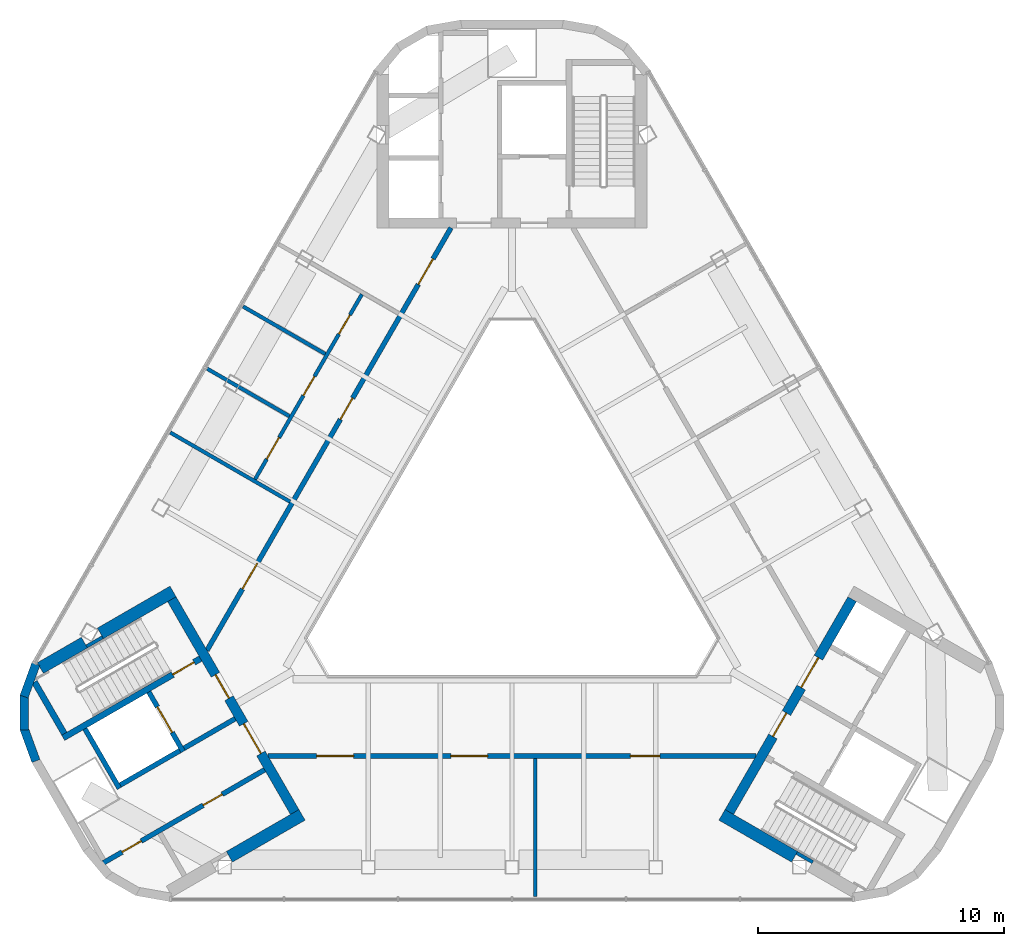
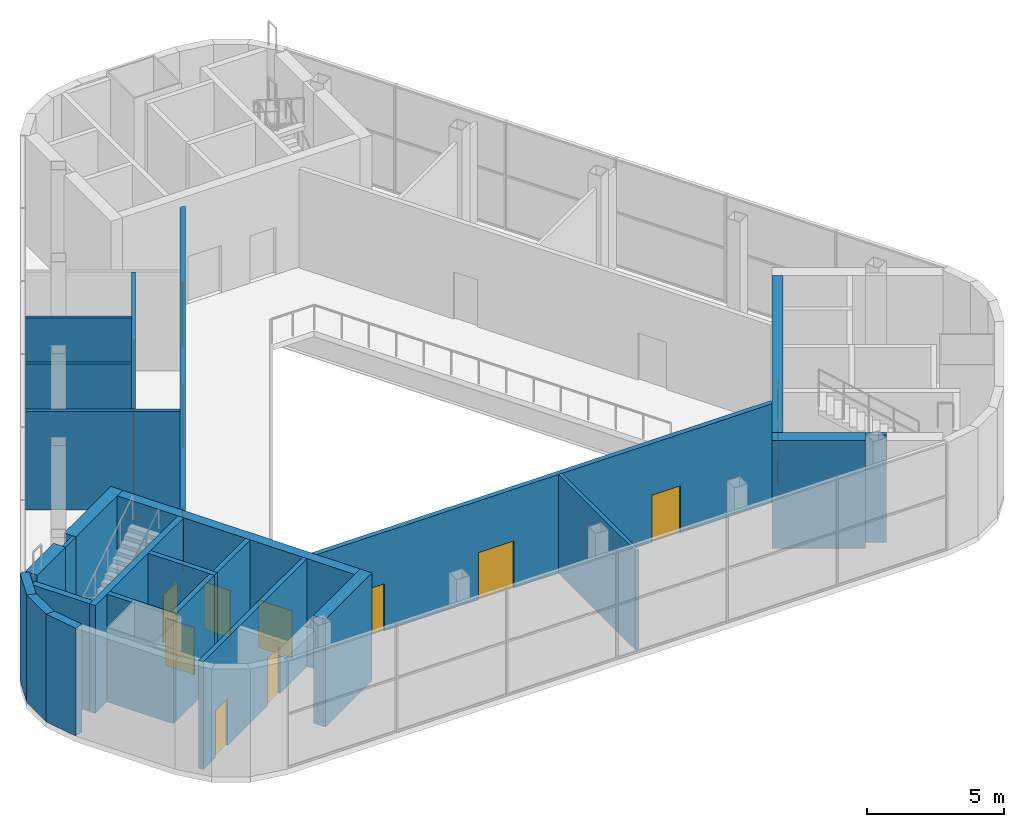
# One storey, part 6 of 11: 25 walls, 17 doors, 17 openings.
"""IFC4 building model written with IfcOpenShell, lengths in metres."""

from ifc_helpers import new_model, si_unit, direction, frame, frame_2d, origin, place, context, subcontext, project, spatial, rectangle, extrude, material, layer, layer_set, type_object, element, fill, save


model = new_model("IFC4")

# Units and contexts
model_context = context("Model", 3, precision=1e-05, world=origin(), true_north=direction((0.0, 1.0)))
body_context = subcontext(model_context, "Body", "Model", "MODEL_VIEW")
ifc_project = project(units=[si_unit("LENGTHUNIT", "METRE"), si_unit("AREAUNIT", "SQUARE_METRE"), si_unit("VOLUMEUNIT", "CUBIC_METRE"), si_unit("PLANEANGLEUNIT", "RADIAN"), si_unit("MASSUNIT", "GRAM", prefix="KILO")], contexts=[model_context])

# Site, building, storey
site_placement = place(None, origin())
site = spatial("IfcSite", under=ifc_project, at=site_placement, CompositionType="ELEMENT")
building_placement = place(site_placement, origin())
building = spatial("IfcBuilding", under=site, at=building_placement, Name="Apuvela Tower Hotel", CompositionType="ELEMENT")
storey_placement = place(building_placement, frame((0.0, 0.0, 338.300048828125)))
storey = spatial("IfcBuildingStorey", under=building, at=storey_placement, Name="L84", CompositionType="ELEMENT", Elevation=338.300048828125)

# Walls
ifc_material_1 = material(Name="Concrete C50/60", Category="concrete")
ifc_layer_1 = layer(ifc_material_1, 0.139892578125)
ifc_layer_set_1 = layer_set([ifc_layer_1], Name="COR-WALL-CORE-140")
wall_type_1 = type_object("IfcWallType", Name="COR-WALL-CORE-140", PredefinedType="SHEAR", material=ifc_layer_set_1)
wall_1_placement = place(storey_placement, frame((-16.66259765625, -3.765869140625, 0.0), z_axis=(0.0, 0.0, 1.0), x_axis=(-0.86603400694, -0.499985098601, 0.0)))
element("IfcWall", 1, at=wall_1_placement, inside=storey, type_object=wall_type_1, Name="Core wall SW", PredefinedType="SHEAR", context=body_context, shape_type="SweptSolid", body=[
    extrude(rectangle(XDim=0.7509765625, YDim=0.139892578125, at=frame_2d((0.37548828125, 0.0))), origin(), (0.0, 0.0, 1.0), 4.800048828125),
])
wall_2_placement = place(storey_placement, frame((11.592529296875, -12.54736328125, 0.0), z_axis=(0.0, 0.0, 1.0), x_axis=(0.866115239748, -0.499844367254, 0.0)))
element("IfcWall", 2, at=wall_2_placement, inside=storey, type_object=wall_type_1, Name="Core wall SE", PredefinedType="SHEAR", context=body_context, shape_type="SweptSolid", body=[
    extrude(rectangle(XDim=0.751220703125, YDim=0.139892578125, at=frame_2d((0.37548828125, 0.0))), origin(), (0.0, 0.0, 1.0), 4.800048828125),
])

# Wall, openings, doors
ifc_layer_2 = layer(ifc_material_1, 0.39990234375)
ifc_layer_set_2 = layer_set([ifc_layer_2], Name="COR-WALL-CORE-400")
wall_type_2 = type_object("IfcWallType", Name="COR-WALL-CORE-400", PredefinedType="SHEAR", material=ifc_layer_set_2)
wall_3_placement = place(storey_placement, frame((-13.844970703125, -2.219970703125, 0.0), z_axis=(0.0, 0.0, 1.0), x_axis=(0.500004234368, -0.866022959057, 0.0)))
wall_3 = element("IfcWall", 3, at=wall_3_placement, inside=storey, type_object=wall_type_2, Name="Core wall SW", PredefinedType="SHEAR", context=body_context, shape_type="SweptSolid", body=[
    extrude(rectangle(XDim=10.0, YDim=0.39990234375, at=frame_2d((5.0, 0.0))), origin(), (0.0, 0.0, 1.0), 4.800048828125),
])
opening_1_placement = place(wall_3_placement, frame((3.550048828125, 0.0, 0.0)))
opening_1 = element("IfcOpeningElement", 4, at=opening_1_placement, cuts=wall_3, Name="Opening W-FD", PredefinedType="OPENING", context=body_context, shape_type="SweptSolid", body=[
    extrude(rectangle(XDim=1.10009765625, YDim=2.10009765625, at=frame_2d((0.550048828125, 1.050048828125))), frame((0.0, 0.2099609375, 0.0), z_axis=(0.0, -1.0, 0.0), x_axis=(1.0, 0.0, 0.0)), (0.0, 0.0, 1.0), 0.419921875),
])
opening_2_placement = place(wall_3_placement, frame((5.85009765625, 0.0, 0.0)))
opening_2 = element("IfcOpeningElement", 5, at=opening_2_placement, cuts=wall_3, Name="Opening W-GD", PredefinedType="OPENING", context=body_context, shape_type="SweptSolid", body=[
    extrude(rectangle(XDim=1.39990234375, YDim=2.10009765625, at=frame_2d((0.699951171875, 1.050048828125))), frame((0.0, 0.2099609375, 0.0), z_axis=(0.0, -1.0, 0.0), x_axis=(1.0, 0.0, 0.0)), (0.0, 0.0, 1.0), 0.419921875),
])
ifc_material_2 = material(Name="Steel fire door, powder coated", Category="steel")
door_type_1 = type_object("IfcDoorType", Name="COR-FD-1100", OperationType="NOTDEFINED", PredefinedType="DOOR", material=ifc_material_2)
door_1_placement = place(opening_1_placement, frame((1.10009765625, 0.0, 0.0), z_axis=(0.0, 0.0, 1.0), x_axis=(-1.0, 0.0, 0.0)))
door_1 = element("IfcDoor", 6, at=door_1_placement, inside=storey, type_object=door_type_1, Name="Firefighting lobby door W-FD", OperationType="SINGLE_SWING_LEFT", OverallHeight=2.10009765625, OverallWidth=1.10009765625, PredefinedType="DOOR", context=body_context, shape_type="SweptSolid", body=[
    extrude(rectangle(XDim=1.10009765625, YDim=2.10009765625, at=frame_2d((0.550048828125, 1.050048828125))), frame((0.0, 0.02490234375, 0.0), z_axis=(0.0, -1.0, 0.0), x_axis=(1.0, 0.0, 0.0)), (0.0, 0.0, 1.0), 0.050048828125),
])
fill(opening_1, door_1)
ifc_material_3 = material(Name="Glazed steel fire door", Category="steel")
door_type_2 = type_object("IfcDoorType", Name="COR-GD-1400", OperationType="DOUBLE_DOOR_SINGLE_SWING", PredefinedType="DOOR", material=ifc_material_3)
door_2_placement = place(opening_2_placement, frame((1.39990234375, 0.0, 0.0), z_axis=(0.0, 0.0, 1.0), x_axis=(-1.0, 0.0, 0.0)))
door_2 = element("IfcDoor", 7, at=door_2_placement, inside=storey, type_object=door_type_2, Name="Lift lobby door W-GD", OperationType="DOUBLE_DOOR_SINGLE_SWING", OverallHeight=2.10009765625, OverallWidth=1.39990234375, PredefinedType="DOOR", context=body_context, shape_type="SweptSolid", body=[
    extrude(rectangle(XDim=1.39990234375, YDim=2.10009765625, at=frame_2d((0.699951171875, 1.050048828125))), frame((0.0, 0.02490234375, 0.0), z_axis=(0.0, -1.0, 0.0), x_axis=(1.0, 0.0, 0.0)), (0.0, 0.0, 1.0), 0.050048828125),
])
fill(opening_2, door_2)

wall_4_placement = place(storey_placement, frame((8.844970703125, -10.880126953125, 0.0), z_axis=(0.0, 0.0, 1.0), x_axis=(0.500004234368, 0.866022959057, 0.0)))
wall_4 = element("IfcWall", 8, at=wall_4_placement, inside=storey, type_object=wall_type_2, Name="Core wall SE", PredefinedType="SHEAR", context=body_context, shape_type="SweptSolid", body=[
    extrude(rectangle(XDim=10.0, YDim=0.39990234375, at=frame_2d((5.0, 0.0))), origin(), (0.0, 0.0, 1.0), 4.800048828125),
])
opening_3_placement = place(wall_4_placement, frame((3.550048828125, 0.0, 0.0)))
opening_3 = element("IfcOpeningElement", 9, at=opening_3_placement, cuts=wall_4, Name="Opening E-FD", PredefinedType="OPENING", context=body_context, shape_type="SweptSolid", body=[
    extrude(rectangle(XDim=1.10009765625, YDim=2.10009765625, at=frame_2d((0.550048828125, 1.050048828125))), frame((0.0, 0.2099609375, 0.0), z_axis=(0.0, -1.0, 0.0), x_axis=(1.0, 0.0, 0.0)), (0.0, 0.0, 1.0), 0.419921875),
])
opening_4_placement = place(wall_4_placement, frame((5.85009765625, 0.0, 0.0)))
opening_4 = element("IfcOpeningElement", 10, at=opening_4_placement, cuts=wall_4, Name="Opening E-GD", PredefinedType="OPENING", context=body_context, shape_type="SweptSolid", body=[
    extrude(rectangle(XDim=1.39990234375, YDim=2.10009765625, at=frame_2d((0.699951171875, 1.050048828125))), frame((0.0, 0.2099609375, 0.0), z_axis=(0.0, -1.0, 0.0), x_axis=(1.0, 0.0, 0.0)), (0.0, 0.0, 1.0), 0.419921875),
])
door_3_placement = place(opening_3_placement, frame((1.10009765625, 0.0, 0.0), z_axis=(0.0, 0.0, 1.0), x_axis=(-1.0, 0.0, 0.0)))
door_3 = element("IfcDoor", 11, at=door_3_placement, inside=storey, type_object=door_type_1, Name="Firefighting lobby door E-FD", OperationType="SINGLE_SWING_LEFT", OverallHeight=2.10009765625, OverallWidth=1.10009765625, PredefinedType="DOOR", context=body_context, shape_type="SweptSolid", body=[
    extrude(rectangle(XDim=1.10009765625, YDim=2.10009765625, at=frame_2d((0.550048828125, 1.050048828125))), frame((0.0, 0.02490234375, 0.0), z_axis=(0.0, -1.0, 0.0), x_axis=(1.0, 0.0, 0.0)), (0.0, 0.0, 1.0), 0.050048828125),
])
fill(opening_3, door_3)
door_4_placement = place(opening_4_placement, frame((1.39990234375, 0.0, 0.0), z_axis=(0.0, 0.0, 1.0), x_axis=(-1.0, 0.0, 0.0)))
door_4 = element("IfcDoor", 12, at=door_4_placement, inside=storey, type_object=door_type_2, Name="Lift lobby door E-GD", OperationType="DOUBLE_DOOR_SINGLE_SWING", OverallHeight=2.10009765625, OverallWidth=1.39990234375, PredefinedType="DOOR", context=body_context, shape_type="SweptSolid", body=[
    extrude(rectangle(XDim=1.39990234375, YDim=2.10009765625, at=frame_2d((0.699951171875, 1.050048828125))), frame((0.0, 0.02490234375, 0.0), z_axis=(0.0, -1.0, 0.0), x_axis=(1.0, 0.0, 0.0)), (0.0, 0.0, 1.0), 0.050048828125),
])
fill(opening_4, door_4)

# Walls
ifc_layer_3 = layer(ifc_material_1, 0.5)
ifc_layer_set_3 = layer_set([ifc_layer_3], Name="COR-WALL-CORE-500")
wall_type_3 = type_object("IfcWallType", Name="COR-WALL-CORE-500", PredefinedType="SHEAR", material=ifc_layer_set_3)
wall_5_placement = place(storey_placement, frame((-13.796630859375, -1.9033203125, 0.0), z_axis=(0.0, 0.0, 1.0), x_axis=(-0.866024775297, -0.500001088571, 0.0)))
element("IfcWall", 13, at=wall_5_placement, inside=storey, type_object=wall_type_3, Name="Core wall SW", PredefinedType="SHEAR", context=body_context, shape_type="SweptSolid", body=[
    extrude(rectangle(XDim=3.4130859375, YDim=0.5, at=frame_2d((1.70654296875, 0.0))), origin(), (0.0, 0.0, 1.0), 4.800048828125),
])
wall_6_placement = place(storey_placement, frame((-17.403076171875, -3.985595703125, 0.0), z_axis=(0.0, 0.0, 1.0), x_axis=(-0.866044274939, -0.499967312778, 0.0)))
element("IfcWall", 14, at=wall_6_placement, inside=storey, type_object=wall_type_3, Name="Core wall SW", PredefinedType="SHEAR", context=body_context, shape_type="SweptSolid", body=[
    extrude(rectangle(XDim=2.071533203125, YDim=0.5, at=frame_2d((1.03564453125, 0.0))), origin(), (0.0, 0.0, 1.0), 4.800048828125),
])
for number, where, z_axis, x_axis, name in (
    (15, (-8.546630859375, -10.99658203125, 0.0), (0.0, 0.0, 1.0), (-0.866024775297, -0.500001088571, 0.0), "Core wall SW"),
    (16, (8.546630859375, -10.99658203125, 0.0), (0.0, 0.0, 1.0), (0.866024775297, -0.500001088571, 0.0), "Core wall SE"),
):
    element("IfcWall", number, at=place(storey_placement, frame(where, z_axis=z_axis, x_axis=x_axis)), inside=storey, type_object=wall_type_3, Name=name, PredefinedType="SHEAR", context=body_context, shape_type="SweptSolid", body=[
        extrude(rectangle(XDim=3.4130859375, YDim=0.5, at=frame_2d((1.70654296875, 0.0))), origin(), (0.0, 0.0, 1.0), 4.800048828125),
    ])
ifc_layer_4 = layer(ifc_material_1, 0.199951171875)
ifc_layer_set_4 = layer_set([ifc_layer_4], Name="COR-WALL-SHAFT-200")
wall_type_4 = type_object("IfcWallType", Name="COR-WALL-SHAFT-200", PredefinedType="SHEAR", material=ifc_layer_set_4)
wall_7_placement = place(storey_placement, frame((-17.38134765625, -7.49462890625, 0.0), z_axis=(0.0, 0.0, 1.0), x_axis=(0.500011755427, -0.866018616679, 0.0)))
element("IfcWall", 17, at=wall_7_placement, inside=storey, type_object=wall_type_4, Name="Shaft wall SW", PredefinedType="SHEAR", context=body_context, shape_type="SweptSolid", body=[
    extrude(rectangle(XDim=2.80029296875, YDim=0.199951171875, at=frame_2d((1.400146484375, 0.0))), origin(), (0.0, 0.0, 1.0), 4.800048828125),
])

# Wall, opening, door
wall_8_placement = place(storey_placement, frame((-14.783203125, -5.99462890625, 0.0), z_axis=(0.0, 0.0, 1.0), x_axis=(0.49994636267, -0.866056369097, 0.0)))
wall_8 = element("IfcWall", 18, at=wall_8_placement, inside=storey, type_object=wall_type_4, Name="Shaft wall SW", PredefinedType="SHEAR", context=body_context, shape_type="SweptSolid", body=[
    extrude(rectangle(XDim=2.800048828125, YDim=0.199951171875, at=frame_2d((1.39990234375, 0.0))), origin(), (0.0, 0.0, 1.0), 4.800048828125),
])
opening_5_placement = place(wall_8_placement, frame((0.699951171875, 0.0, 0.0)))
opening_5 = element("IfcOpeningElement", 19, at=opening_5_placement, cuts=wall_8, Name="Opening W-LD-FS2", PredefinedType="OPENING", context=body_context, shape_type="SweptSolid", body=[
    extrude(rectangle(XDim=1.199951171875, YDim=2.10009765625, at=frame_2d((0.60009765625, 1.050048828125))), frame((0.0, 0.10986328125, 0.0), z_axis=(0.0, -1.0, 0.0), x_axis=(1.0, 0.0, 0.0)), (0.0, 0.0, 1.0), 0.219970703125),
])
ifc_material_4 = material(Name="Stainless steel lift landing door", Category="steel")
door_type_3 = type_object("IfcDoorType", Name="COR-LD-1200", OperationType="DOUBLE_DOOR_SLIDING", PredefinedType="DOOR", material=ifc_material_4)
door_5_placement = place(opening_5_placement, origin())
door_5 = element("IfcDoor", 20, at=door_5_placement, inside=storey, type_object=door_type_3, Name="Lift landing door W-LD-FS2", OperationType="DOUBLE_DOOR_SLIDING", OverallHeight=2.10009765625, OverallWidth=1.199951171875, PredefinedType="DOOR", context=body_context, shape_type="SweptSolid", body=[
    extrude(rectangle(XDim=1.199951171875, YDim=2.10009765625, at=frame_2d((0.60009765625, 1.050048828125))), frame((0.0, 0.02490234375, 0.0), z_axis=(0.0, -1.0, 0.0), x_axis=(1.0, 0.0, 0.0)), (0.0, 0.0, 1.0), 0.050048828125),
])
fill(opening_5, door_5)

# Walls
wall_9_placement = place(storey_placement, frame((-13.519775390625, -8.383056640625, 0.0), z_axis=(0.0, 0.0, 1.0), x_axis=(-0.866034573852, -0.49998411664, 0.0)))
element("IfcWall", 21, at=wall_9_placement, inside=storey, type_object=wall_type_4, Name="Shaft wall SW", PredefinedType="SHEAR", context=body_context, shape_type="SweptSolid", body=[
    extrude(rectangle(XDim=2.7998046875, YDim=0.199951171875, at=frame_2d((1.39990234375, 0.0))), origin(), (0.0, 0.0, 1.0), 4.800048828125),
])
wall_10_placement = place(storey_placement, frame((-11.26806640625, -7.0830078125, 0.0), z_axis=(0.0, 0.0, 1.0), x_axis=(-0.866050077142, -0.499957262057, 0.0)))
element("IfcWall", 22, at=wall_10_placement, inside=storey, type_object=wall_type_4, Name="Shaft wall SW", PredefinedType="SHEAR", context=body_context, shape_type="SweptSolid", body=[
    extrude(rectangle(XDim=2.400146484375, YDim=0.199951171875, at=frame_2d((1.2001953125, 0.0))), origin(), (0.0, 0.0, 1.0), 4.800048828125),
])

# Wall, openings, doors
wall_11_placement = place(storey_placement, frame((-10.068115234375, -9.16162109375, 0.0), z_axis=(0.0, 0.0, 1.0), x_axis=(-0.86602942914, -0.499993027815, 0.0)))
wall_11 = element("IfcWall", 23, at=wall_11_placement, inside=storey, type_object=wall_type_4, Name="Shaft wall SW", PredefinedType="SHEAR", context=body_context, shape_type="SweptSolid", body=[
    extrude(rectangle(XDim=7.576171875, YDim=0.199951171875, at=frame_2d((3.7880859375, 0.0))), origin(), (0.0, 0.0, 1.0), 4.800048828125),
])
opening_6_placement = place(wall_11_placement, frame((1.989990234375, 0.0, 0.0)))
opening_6 = element("IfcOpeningElement", 24, at=opening_6_placement, cuts=wall_11, Name="Opening W-RE1", PredefinedType="OPENING", context=body_context, shape_type="SweptSolid", body=[
    extrude(rectangle(XDim=0.89990234375, YDim=2.10009765625, at=frame_2d((0.449951171875, 1.050048828125))), frame((0.0, 0.10986328125, 0.0), z_axis=(0.0, -1.0, 0.0), x_axis=(1.0, 0.0, 0.0)), (0.0, 0.0, 1.0), 0.219970703125),
])
opening_7_placement = place(wall_11_placement, frame((5.800048828125, 0.0, 0.0)))
opening_7 = element("IfcOpeningElement", 25, at=opening_7_placement, cuts=wall_11, Name="Opening W-RE3", PredefinedType="OPENING", context=body_context, shape_type="SweptSolid", body=[
    extrude(rectangle(XDim=0.89990234375, YDim=2.10009765625, at=frame_2d((0.449951171875, 1.050048828125))), frame((0.0, 0.10986328125, 0.0), z_axis=(0.0, -1.0, 0.0), x_axis=(1.0, 0.0, 0.0)), (0.0, 0.0, 1.0), 0.219970703125),
])
door_type_4 = type_object("IfcDoorType", Name="COR-DR-900", OperationType="NOTDEFINED", PredefinedType="DOOR", material=ifc_material_2)
door_6_placement = place(opening_6_placement, origin())
door_6 = element("IfcDoor", 26, at=door_6_placement, inside=storey, type_object=door_type_4, Name="Store door W-RE1", OperationType="SINGLE_SWING_LEFT", OverallHeight=2.10009765625, OverallWidth=0.89990234375, PredefinedType="DOOR", context=body_context, shape_type="SweptSolid", body=[
    extrude(rectangle(XDim=0.89990234375, YDim=2.10009765625, at=frame_2d((0.449951171875, 1.050048828125))), frame((0.0, 0.02490234375, 0.0), z_axis=(0.0, -1.0, 0.0), x_axis=(1.0, 0.0, 0.0)), (0.0, 0.0, 1.0), 0.050048828125),
])
fill(opening_6, door_6)
door_7_placement = place(opening_7_placement, origin())
door_7 = element("IfcDoor", 27, at=door_7_placement, inside=storey, type_object=door_type_4, Name="Store door W-RE3", OperationType="SINGLE_SWING_LEFT", OverallHeight=2.10009765625, OverallWidth=0.89990234375, PredefinedType="DOOR", context=body_context, shape_type="SweptSolid", body=[
    extrude(rectangle(XDim=0.89990234375, YDim=2.10009765625, at=frame_2d((0.449951171875, 1.050048828125))), frame((0.0, 0.02490234375, 0.0), z_axis=(0.0, -1.0, 0.0), x_axis=(1.0, 0.0, 0.0)), (0.0, 0.0, 1.0), 0.050048828125),
])
fill(opening_7, door_7)

# Wall, opening, door
ifc_layer_5 = layer(ifc_material_1, 0.25)
ifc_layer_set_5 = layer_set([ifc_layer_5], Name="COR-WALL-STAIR-250")
wall_type_5 = type_object("IfcWallType", Name="COR-WALL-STAIR-250", PredefinedType="SHEAR", material=ifc_layer_set_5)
wall_12_placement = place(storey_placement, frame((-12.6806640625, -4.636474609375, 0.0), z_axis=(0.0, 0.0, 1.0), x_axis=(-0.866021702275, -0.500006411147, 0.0)))
wall_12 = element("IfcWall", 28, at=wall_12_placement, inside=storey, type_object=wall_type_5, Name="Stair wall SW", PredefinedType="SHEAR", context=body_context, shape_type="SweptSolid", body=[
    extrude(rectangle(XDim=6.4501953125, YDim=0.25, at=frame_2d((3.22509765625, 0.0))), origin(), (0.0, 0.0, 1.0), 4.800048828125),
])
opening_8_placement = place(wall_12_placement, frame((0.300048828125, 0.0, 0.0)))
opening_8 = element("IfcOpeningElement", 29, at=opening_8_placement, cuts=wall_12, Name="Opening W-SD", PredefinedType="OPENING", context=body_context, shape_type="SweptSolid", body=[
    extrude(rectangle(XDim=1.0, YDim=2.10009765625, at=frame_2d((0.5, 1.050048828125))), frame((0.0, 0.135009765625, 0.0), z_axis=(0.0, -1.0, 0.0), x_axis=(1.0, 0.0, 0.0)), (0.0, 0.0, 1.0), 0.27001953125),
])
door_type_5 = type_object("IfcDoorType", Name="COR-SD-1000", OperationType="NOTDEFINED", PredefinedType="DOOR", material=ifc_material_2)
door_8_placement = place(opening_8_placement, frame((1.0, 0.0, 0.0), z_axis=(0.0, 0.0, 1.0), x_axis=(-1.0, 0.0, 0.0)))
door_8 = element("IfcDoor", 30, at=door_8_placement, inside=storey, type_object=door_type_5, Name="Stair door W-SD", OperationType="SINGLE_SWING_LEFT", OverallHeight=2.10009765625, OverallWidth=1.0, PredefinedType="DOOR", context=body_context, shape_type="SweptSolid", body=[
    extrude(rectangle(XDim=1.0, YDim=2.10009765625, at=frame_2d((0.5, 1.050048828125))), frame((0.0, 0.02490234375, 0.0), z_axis=(0.0, -1.0, 0.0), x_axis=(1.0, 0.0, 0.0)), (0.0, 0.0, 1.0), 0.050048828125),
])
fill(opening_8, door_8)

# Walls
wall_13_placement = place(storey_placement, frame((-19.435791015625, -5.586181640625, 0.0), z_axis=(0.0, 0.0, 1.0), x_axis=(0.500018134935, -0.866014933322, 0.0)))
element("IfcWall", 31, at=wall_13_placement, inside=storey, type_object=wall_type_5, Name="Stair wall SW", PredefinedType="SHEAR", context=body_context, shape_type="SweptSolid", body=[
    extrude(rectangle(XDim=2.43017578125, YDim=0.25, at=frame_2d((1.215087890625, 0.0))), origin(), (0.0, 0.0, 1.0), 4.800048828125),
])
ifc_material_5 = material(Name="Concrete C40/50, dark pigmented precast panel", Category="concrete")
ifc_layer_6 = layer(ifc_material_5, 0.35009765625)
ifc_layer_set_6 = layer_set([ifc_layer_6], Name="ENV-WALL-350")
wall_type_6 = type_object("IfcWallType", Name="ENV-WALL-350", PredefinedType="SOLIDWALL", material=ifc_layer_set_6)
wall_14_placement = place(storey_placement, frame((-19.37744140625, -4.85498046875, 0.0), z_axis=(0.0, 0.0, 1.0), x_axis=(-0.341964928618, -0.939712715459, 0.0)))
element("IfcWall", 32, at=wall_14_placement, inside=storey, type_object=wall_type_6, Name="External wall L84-08", PredefinedType="SOLIDWALL", context=body_context, shape_type="SweptSolid", body=[
    extrude(rectangle(XDim=1.41357421875, YDim=0.35009765625, at=frame_2d((0.706787109375, 0.0))), origin(), (0.0, 0.0, 1.0), 4.800048828125),
])
wall_15_placement = place(storey_placement, frame((-19.850341796875, -6.12353515625, 0.0), z_axis=(0.0, 0.0, 1.0), x_axis=(0.0, -1.0, 0.0)))
element("IfcWall", 33, at=wall_15_placement, inside=storey, type_object=wall_type_6, Name="External wall L84-09", PredefinedType="SOLIDWALL", context=body_context, shape_type="SweptSolid", body=[
    extrude(rectangle(XDim=1.413330078125, YDim=0.35009765625, at=frame_2d((0.70654296875, 0.0))), origin(), (0.0, 0.0, 1.0), 4.800048828125),
])
wall_16_placement = place(storey_placement, frame((-19.86083984375, -7.47705078125, 0.0), z_axis=(0.0, 0.0, 1.0), x_axis=(0.341964928618, -0.939712715459, 0.0)))
element("IfcWall", 34, at=wall_16_placement, inside=storey, type_object=wall_type_6, Name="External wall L84-10", PredefinedType="SOLIDWALL", context=body_context, shape_type="SweptSolid", body=[
    extrude(rectangle(XDim=1.41357421875, YDim=0.35009765625, at=frame_2d((0.706787109375, 0.0))), origin(), (0.0, 0.0, 1.0), 4.800048828125),
])

# Wall, openings, doors
ifc_material_6 = material(Name="Fire-rated gypsum board partition on steel stud", Category="steel")
ifc_layer_7 = layer(ifc_material_6, 0.199951171875)
ifc_layer_set_7 = layer_set([ifc_layer_7], Name="SPC-WALL-CORRIDOR")
wall_type_7 = type_object("IfcWallType", Name="SPC-WALL-CORRIDOR", PredefinedType="PARTITIONING", material=ifc_layer_set_7)
wall_17_placement = place(storey_placement, frame((-9.930419921875, -8.60009765625, 0.0), z_axis=(0.0, 0.0, 1.0), x_axis=(1.0, 0.0, 0.0)))
wall_17 = element("IfcWall", 35, at=wall_17_placement, inside=storey, type_object=wall_type_7, Name="Wall L84-S-CW", PredefinedType="PARTITIONING", context=body_context, shape_type="SweptSolid", body=[
    extrude(rectangle(XDim=19.86083984375, YDim=0.199951171875, at=frame_2d((9.930419921875, 0.0))), origin(), (0.0, 0.0, 1.0), 4.39990234375),
])
opening_9_placement = place(wall_17_placement, frame((1.979248046875, 0.0, 0.0)))
opening_9 = element("IfcOpeningElement", 36, at=opening_9_placement, cuts=wall_17, Name="Opening L84-S05", PredefinedType="OPENING", context=body_context, shape_type="SweptSolid", body=[
    extrude(rectangle(XDim=1.5, YDim=2.10009765625, at=frame_2d((0.75, 1.050048828125))), frame((0.0, 0.10986328125, 0.0), z_axis=(0.0, -1.0, 0.0), x_axis=(1.0, 0.0, 0.0)), (0.0, 0.0, 1.0), 0.219970703125),
])
opening_10_placement = place(wall_17_placement, frame((7.437744140625, 0.0, 0.0)))
opening_10 = element("IfcOpeningElement", 37, at=opening_10_placement, cuts=wall_17, Name="Opening L84-S06", PredefinedType="OPENING", context=body_context, shape_type="SweptSolid", body=[
    extrude(rectangle(XDim=1.5, YDim=2.10009765625, at=frame_2d((0.75, 1.050048828125))), frame((0.0, 0.10986328125, 0.0), z_axis=(0.0, -1.0, 0.0), x_axis=(1.0, 0.0, 0.0)), (0.0, 0.0, 1.0), 0.219970703125),
])
opening_11_placement = place(wall_17_placement, frame((14.75244140625, 0.0, 0.0)))
opening_11 = element("IfcOpeningElement", 38, at=opening_11_placement, cuts=wall_17, Name="Opening L84-S07", PredefinedType="OPENING", context=body_context, shape_type="SweptSolid", body=[
    extrude(rectangle(XDim=1.199951171875, YDim=2.10009765625, at=frame_2d((0.60009765625, 1.050048828125))), frame((0.0, 0.10986328125, 0.0), z_axis=(0.0, -1.0, 0.0), x_axis=(1.0, 0.0, 0.0)), (0.0, 0.0, 1.0), 0.219970703125),
])
ifc_material_7 = material(Name="Fire-rated hardwood veneer door leaf", Category="wood")
door_type_6 = type_object("IfcDoorType", Name="SPC-DOOR-1200-FD", OperationType="NOTDEFINED", PredefinedType="DOOR", material=ifc_material_7)
door_9_placement = place(opening_11_placement, origin())
door_9 = element("IfcDoor", 39, at=door_9_placement, inside=storey, type_object=door_type_6, Name="L84-S07", OperationType="SINGLE_SWING_LEFT", OverallHeight=2.10009765625, OverallWidth=1.199951171875, PredefinedType="DOOR", context=body_context, shape_type="SweptSolid", body=[
    extrude(rectangle(XDim=1.199951171875, YDim=2.10009765625, at=frame_2d((0.60009765625, 1.050048828125))), frame((0.0, 0.02490234375, 0.0), z_axis=(0.0, -1.0, 0.0), x_axis=(1.0, 0.0, 0.0)), (0.0, 0.0, 1.0), 0.050048828125),
])
fill(opening_11, door_9)
door_type_7 = type_object("IfcDoorType", Name="SPC-DOOR-1500-FD", OperationType="NOTDEFINED", PredefinedType="DOOR", material=ifc_material_7)
door_10_placement = place(opening_9_placement, origin())
door_10 = element("IfcDoor", 40, at=door_10_placement, inside=storey, type_object=door_type_7, Name="L84-S05", OperationType="DOUBLE_DOOR_SINGLE_SWING", OverallHeight=2.10009765625, OverallWidth=1.5, PredefinedType="DOOR", context=body_context, shape_type="SweptSolid", body=[
    extrude(rectangle(XDim=1.5, YDim=2.10009765625, at=frame_2d((0.75, 1.050048828125))), frame((0.0, 0.02490234375, 0.0), z_axis=(0.0, -1.0, 0.0), x_axis=(1.0, 0.0, 0.0)), (0.0, 0.0, 1.0), 0.050048828125),
])
fill(opening_9, door_10)
door_11_placement = place(opening_10_placement, origin())
door_11 = element("IfcDoor", 41, at=door_11_placement, inside=storey, type_object=door_type_7, Name="L84-S06", OperationType="DOUBLE_DOOR_SINGLE_SWING", OverallHeight=2.10009765625, OverallWidth=1.5, PredefinedType="DOOR", context=body_context, shape_type="SweptSolid", body=[
    extrude(rectangle(XDim=1.5, YDim=2.10009765625, at=frame_2d((0.75, 1.050048828125))), frame((0.0, 0.02490234375, 0.0), z_axis=(0.0, -1.0, 0.0), x_axis=(1.0, 0.0, 0.0)), (0.0, 0.0, 1.0), 0.050048828125),
])
fill(opening_10, door_11)

wall_18_placement = place(storey_placement, frame((-2.482421875, 12.900146484375, 0.0), z_axis=(0.0, 0.0, 1.0), x_axis=(-0.50000478328, -0.866022642139, 0.0)))
wall_18 = element("IfcWall", 42, at=wall_18_placement, inside=storey, type_object=wall_type_7, Name="Wall L84-NW-CW", PredefinedType="PARTITIONING", context=body_context, shape_type="SweptSolid", body=[
    extrude(rectangle(XDim=19.861083984375, YDim=0.199951171875, at=frame_2d((9.9306640625, 0.0))), origin(), (0.0, 0.0, 1.0), 4.39990234375),
])
opening_12_placement = place(wall_18_placement, frame((1.460693359375, 0.0, 0.0)))
opening_12 = element("IfcOpeningElement", 43, at=opening_12_placement, cuts=wall_18, Name="Opening L84-S08", PredefinedType="OPENING", context=body_context, shape_type="SweptSolid", body=[
    extrude(rectangle(XDim=1.199951171875, YDim=2.10009765625, at=frame_2d((0.60009765625, 1.050048828125))), frame((0.0, 0.10986328125, 0.0), z_axis=(0.0, -1.0, 0.0), x_axis=(1.0, 0.0, 0.0)), (0.0, 0.0, 1.0), 0.219970703125),
])
opening_13_placement = place(wall_18_placement, frame((15.777587890625, 0.0, 0.0)))
opening_13 = element("IfcOpeningElement", 44, at=opening_13_placement, cuts=wall_18, Name="Opening L84-S09", PredefinedType="OPENING", context=body_context, shape_type="SweptSolid", body=[
    extrude(rectangle(XDim=1.199951171875, YDim=2.10009765625, at=frame_2d((0.60009765625, 1.050048828125))), frame((0.0, 0.10986328125, 0.0), z_axis=(0.0, -1.0, 0.0), x_axis=(1.0, 0.0, 0.0)), (0.0, 0.0, 1.0), 0.219970703125),
])
opening_14_placement = place(wall_18_placement, frame((8.007568359375, 0.0, 0.0)))
opening_14 = element("IfcOpeningElement", 45, at=opening_14_placement, cuts=wall_18, Name="Opening L84-S11", PredefinedType="OPENING", context=body_context, shape_type="SweptSolid", body=[
    extrude(rectangle(XDim=1.0, YDim=2.10009765625, at=frame_2d((0.5, 1.050048828125))), frame((0.0, 0.10986328125, 0.0), z_axis=(0.0, -1.0, 0.0), x_axis=(1.0, 0.0, 0.0)), (0.0, 0.0, 1.0), 0.219970703125),
])
door_type_8 = type_object("IfcDoorType", Name="SPC-DOOR-1000-FD", OperationType="NOTDEFINED", PredefinedType="DOOR", material=ifc_material_7)
door_12_placement = place(opening_14_placement, frame((1.0, 0.0, 0.0), z_axis=(0.0, 0.0, 1.0), x_axis=(-1.0, 0.0, 0.0)))
door_12 = element("IfcDoor", 46, at=door_12_placement, inside=storey, type_object=door_type_8, Name="L84-S11", OperationType="SINGLE_SWING_RIGHT", OverallHeight=2.10009765625, OverallWidth=1.0, PredefinedType="DOOR", context=body_context, shape_type="SweptSolid", body=[
    extrude(rectangle(XDim=1.0, YDim=2.10009765625, at=frame_2d((0.5, 1.050048828125))), frame((0.0, 0.02490234375, 0.0), z_axis=(0.0, -1.0, 0.0), x_axis=(1.0, 0.0, 0.0)), (0.0, 0.0, 1.0), 0.050048828125),
])
fill(opening_14, door_12)
door_13_placement = place(opening_12_placement, frame((1.199951171875, 0.0, 0.0), z_axis=(0.0, 0.0, 1.0), x_axis=(-1.0, 0.0, 0.0)))
door_13 = element("IfcDoor", 47, at=door_13_placement, inside=storey, type_object=door_type_6, Name="L84-S08", OperationType="SINGLE_SWING_RIGHT", OverallHeight=2.10009765625, OverallWidth=1.199951171875, PredefinedType="DOOR", context=body_context, shape_type="SweptSolid", body=[
    extrude(rectangle(XDim=1.199951171875, YDim=2.10009765625, at=frame_2d((0.60009765625, 1.050048828125))), frame((0.0, 0.02490234375, 0.0), z_axis=(0.0, -1.0, 0.0), x_axis=(1.0, 0.0, 0.0)), (0.0, 0.0, 1.0), 0.050048828125),
])
fill(opening_12, door_13)
door_14_placement = place(opening_13_placement, origin())
door_14 = element("IfcDoor", 48, at=door_14_placement, inside=storey, type_object=door_type_6, Name="L84-S09", OperationType="SINGLE_SWING_LEFT", OverallHeight=2.10009765625, OverallWidth=1.199951171875, PredefinedType="DOOR", context=body_context, shape_type="SweptSolid", body=[
    extrude(rectangle(XDim=1.199951171875, YDim=2.10009765625, at=frame_2d((0.60009765625, 1.050048828125))), frame((0.0, 0.02490234375, 0.0), z_axis=(0.0, -1.0, 0.0), x_axis=(1.0, 0.0, 0.0)), (0.0, 0.0, 1.0), 0.050048828125),
])
fill(opening_13, door_14)

# Wall
ifc_material_8 = material(Name="Gypsum board partition on steel stud", Category="steel")
ifc_layer_8 = layer(ifc_material_8, 0.14990234375)
ifc_layer_set_8 = layer_set([ifc_layer_8], Name="SPC-WALL-PARTITION")
wall_type_8 = type_object("IfcWallType", Name="SPC-WALL-PARTITION", PredefinedType="PARTITIONING", material=ifc_layer_set_8)
wall_19_placement = place(storey_placement, frame((0.949951171875, -14.326171875, 0.0), z_axis=(0.0, 0.0, 1.0), x_axis=(0.0, 1.0, 0.0)))
element("IfcWall", 49, at=wall_19_placement, inside=storey, type_object=wall_type_8, Name="Wall L84-S-P01", PredefinedType="PARTITIONING", context=body_context, shape_type="SweptSolid", body=[
    extrude(rectangle(XDim=5.626220703125, YDim=0.14990234375, at=frame_2d((2.81298828125, 0.0))), origin(), (0.0, 0.0, 1.0), 4.409912109375),
])

# Wall, openings, doors
wall_20_placement = place(storey_placement, frame((-6.110595703125, 10.19189453125, 0.0), z_axis=(0.0, 0.0, 1.0), x_axis=(-0.500010027813, -0.866019614146, 0.0)))
wall_20 = element("IfcWall", 50, at=wall_20_placement, inside=storey, type_object=wall_type_8, Name="Wall L84-NW-P01", PredefinedType="PARTITIONING", context=body_context, shape_type="SweptSolid", body=[
    extrude(rectangle(XDim=8.696044921875, YDim=0.14990234375, at=frame_2d((4.34814453125, 0.0))), origin(), (0.0, 0.0, 1.0), 4.39990234375),
])
opening_15_placement = place(wall_20_placement, frame((6.738037109375, 0.0, 0.0)))
opening_15 = element("IfcOpeningElement", 51, at=opening_15_placement, cuts=wall_20, Name="Opening L84-S10", PredefinedType="OPENING", context=body_context, shape_type="SweptSolid", body=[
    extrude(rectangle(XDim=1.0, YDim=2.10009765625, at=frame_2d((0.5, 1.050048828125))), frame((0.0, 0.0849609375, 0.0), z_axis=(0.0, -1.0, 0.0), x_axis=(1.0, 0.0, 0.0)), (0.0, 0.0, 1.0), 0.169921875),
])
opening_16_placement = place(wall_20_placement, frame((3.859619140625, 0.0, 0.0)))
opening_16 = element("IfcOpeningElement", 52, at=opening_16_placement, cuts=wall_20, Name="Opening L84-S12", PredefinedType="OPENING", context=body_context, shape_type="SweptSolid", body=[
    extrude(rectangle(XDim=0.89990234375, YDim=2.10009765625, at=frame_2d((0.449951171875, 1.050048828125))), frame((0.0, 0.0849609375, 0.0), z_axis=(0.0, -1.0, 0.0), x_axis=(1.0, 0.0, 0.0)), (0.0, 0.0, 1.0), 0.169921875),
])
opening_17_placement = place(wall_20_placement, frame((0.969482421875, 0.0, 0.0)))
opening_17 = element("IfcOpeningElement", 53, at=opening_17_placement, cuts=wall_20, Name="Opening L84-S13", PredefinedType="OPENING", context=body_context, shape_type="SweptSolid", body=[
    extrude(rectangle(XDim=0.89990234375, YDim=2.10009765625, at=frame_2d((0.449951171875, 1.050048828125))), frame((0.0, 0.0849609375, 0.0), z_axis=(0.0, -1.0, 0.0), x_axis=(1.0, 0.0, 0.0)), (0.0, 0.0, 1.0), 0.169921875),
])
ifc_material_9 = material(Name="Hardwood veneer door leaf", Category="wood")
door_type_9 = type_object("IfcDoorType", Name="SPC-DOOR-1000", OperationType="NOTDEFINED", PredefinedType="DOOR", material=ifc_material_9)
door_15_placement = place(opening_15_placement, frame((1.0, 0.0, 0.0), z_axis=(0.0, 0.0, 1.0), x_axis=(-1.0, 0.0, 0.0)))
door_15 = element("IfcDoor", 54, at=door_15_placement, inside=storey, type_object=door_type_9, Name="L84-S10", OperationType="SINGLE_SWING_RIGHT", OverallHeight=2.10009765625, OverallWidth=1.0, PredefinedType="DOOR", context=body_context, shape_type="SweptSolid", body=[
    extrude(rectangle(XDim=1.0, YDim=2.10009765625, at=frame_2d((0.5, 1.050048828125))), frame((0.0, 0.02490234375, 0.0), z_axis=(0.0, -1.0, 0.0), x_axis=(1.0, 0.0, 0.0)), (0.0, 0.0, 1.0), 0.050048828125),
])
fill(opening_15, door_15)
door_type_10 = type_object("IfcDoorType", Name="SPC-DOOR-900", OperationType="NOTDEFINED", PredefinedType="DOOR", material=ifc_material_9)
door_16_placement = place(opening_16_placement, frame((0.89990234375, 0.0, 0.0), z_axis=(0.0, 0.0, 1.0), x_axis=(-1.0, 0.0, 0.0)))
door_16 = element("IfcDoor", 55, at=door_16_placement, inside=storey, type_object=door_type_10, Name="L84-S12", OperationType="SINGLE_SWING_LEFT", OverallHeight=2.10009765625, OverallWidth=0.89990234375, PredefinedType="DOOR", context=body_context, shape_type="SweptSolid", body=[
    extrude(rectangle(XDim=0.89990234375, YDim=2.10009765625, at=frame_2d((0.449951171875, 1.050048828125))), frame((0.0, 0.02490234375, 0.0), z_axis=(0.0, -1.0, 0.0), x_axis=(1.0, 0.0, 0.0)), (0.0, 0.0, 1.0), 0.050048828125),
])
fill(opening_16, door_16)
door_17_placement = place(opening_17_placement, frame((0.89990234375, 0.0, 0.0), z_axis=(0.0, 0.0, 1.0), x_axis=(-1.0, 0.0, 0.0)))
door_17 = element("IfcDoor", 56, at=door_17_placement, inside=storey, type_object=door_type_10, Name="L84-S13", OperationType="SINGLE_SWING_RIGHT", OverallHeight=2.10009765625, OverallWidth=0.89990234375, PredefinedType="DOOR", context=body_context, shape_type="SweptSolid", body=[
    extrude(rectangle(XDim=0.89990234375, YDim=2.10009765625, at=frame_2d((0.449951171875, 1.050048828125))), frame((0.0, 0.02490234375, 0.0), z_axis=(0.0, -1.0, 0.0), x_axis=(1.0, 0.0, 0.0)), (0.0, 0.0, 1.0), 0.050048828125),
])
fill(opening_17, door_17)

# Walls
for number, where, z_axis, x_axis, name in (
    (57, (-10.9453125, 9.694580078125, 0.0), (0.0, 0.0, 1.0), (0.865998260435, -0.500047010714, 0.0), "Wall L84-NW-P03"),
    (58, (-12.406982421875, 7.1630859375, 0.0), (0.0, 0.0, 1.0), (0.866041422587, -0.499972253594, 0.0), "Wall L84-NW-P04"),
):
    element("IfcWall", number, at=place(storey_placement, frame(where, z_axis=z_axis, x_axis=x_axis)), inside=storey, type_object=wall_type_8, Name=name, PredefinedType="PARTITIONING", context=body_context, shape_type="SweptSolid", body=[
        extrude(rectangle(XDim=3.863525390625, YDim=0.14990234375, at=frame_2d((1.931640625, 0.0))), origin(), (0.0, 0.0, 1.0), 4.39990234375),
    ])
wall_21_placement = place(storey_placement, frame((-13.906982421875, 4.56494140625, 0.0), z_axis=(0.0, 0.0, 1.0), x_axis=(0.866039621134, -0.49997537402, 0.0)))
element("IfcWall", 59, at=wall_21_placement, inside=storey, type_object=wall_type_8, Name="Wall L84-NW-P05", PredefinedType="PARTITIONING", context=body_context, shape_type="SweptSolid", body=[
    extrude(rectangle(XDim=5.626220703125, YDim=0.14990234375, at=frame_2d((2.81298828125, 0.0))), origin(), (0.0, 0.0, 1.0), 4.39990234375),
])

save(model, "model.ifc")
